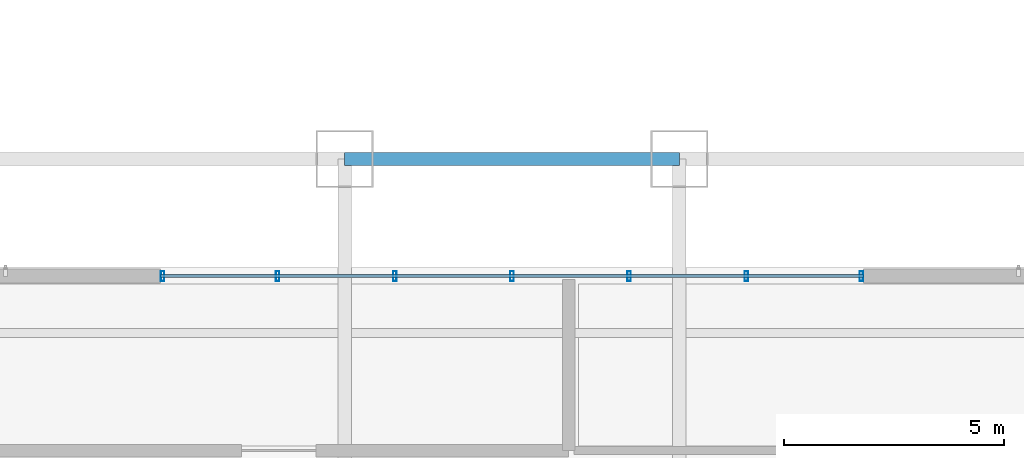
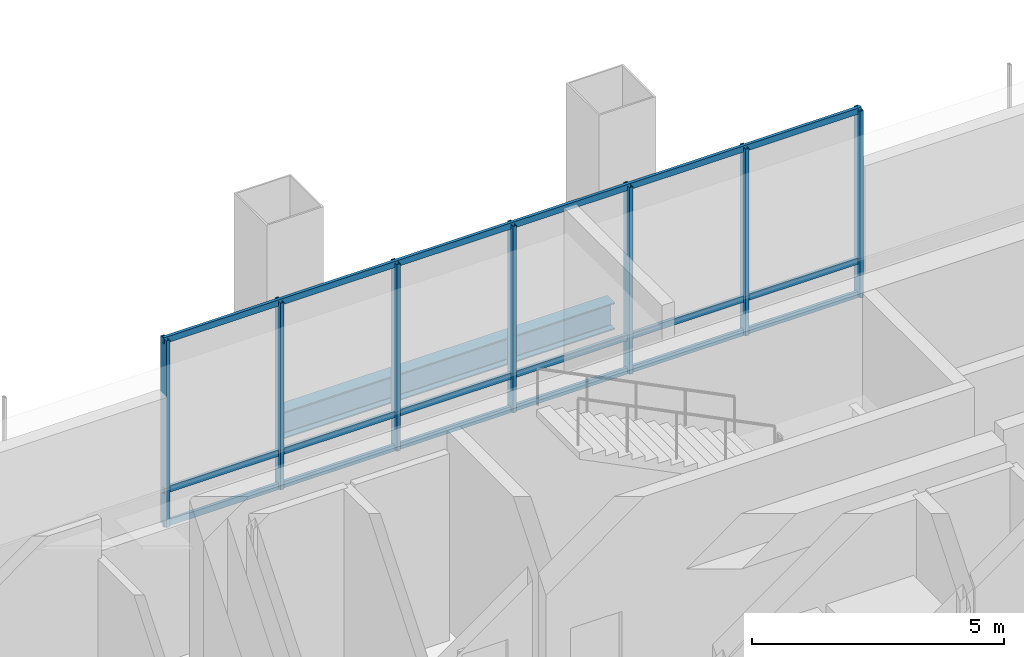
# One storey, part 16 of 33: 10 members, 1 beam, 1 element without a shape of its own.
"""IFC4 building model written with IfcOpenShell, lengths in metres."""

from ifc_helpers import new_model, si_unit, direction, frame, origin, origin_2d, place, context, subcontext, project, spatial, hollow_rectangle, i_section, extrude, material, material_profile, profile_set, type_object, element, aggregate, save


model = new_model("IFC4")

# Units and contexts
model_context = context("Model", 3, precision=1e-05, world=origin(), true_north=direction((0.0, 1.0)))
body_context = subcontext(model_context, "Body", "Model", "MODEL_VIEW")
ifc_project = project(units=[si_unit("LENGTHUNIT", "METRE"), si_unit("AREAUNIT", "SQUARE_METRE"), si_unit("VOLUMEUNIT", "CUBIC_METRE"), si_unit("PLANEANGLEUNIT", "RADIAN"), si_unit("MASSUNIT", "GRAM", prefix="KILO")], contexts=[model_context])

# Site, building, storey
site_placement = place(None, origin())
site = spatial("IfcSite", under=ifc_project, at=site_placement, CompositionType="ELEMENT")
building_placement = place(site_placement, origin())
building = spatial("IfcBuilding", under=site, at=building_placement, Name="Punatoya Terracotta Tower", CompositionType="ELEMENT")
storey_placement = place(building_placement, frame((0.0, 0.0, 246.60009765625)))
storey = spatial("IfcBuildingStorey", under=building, at=storey_placement, Name="L58", CompositionType="ELEMENT", Elevation=246.60009765625)

# Beam
ifc_material_1 = material(Name="Steel S355", Category="steel")
ifc_material_profile_1 = material_profile(ifc_material_1, i_section(OverallWidth=0.300048828125, OverallDepth=0.64990234375, WebThickness=0.01611328125, FlangeThickness=0.031005859375, FilletRadius=0.01806640625, at=origin_2d()))
ifc_profile_set_1 = profile_set([ifc_material_profile_1], Name="Steel S355")
beam_type = type_object("IfcBeamType", Name="BM-PRI-650", PredefinedType="BEAM", material=ifc_profile_set_1)
beam_placement = place(storey_placement, frame((-3.800048828125, 17.5, -0.585205078125), z_axis=(1.0, 0.0, 0.0), x_axis=(0.0, 1.0, 0.0)))
element("IfcBeam", 1, at=beam_placement, inside=storey, type_object=beam_type, Name="BM-L58-RG-N2", PredefinedType="BEAM", context=body_context, shape_type="SweptSolid", body=[
    extrude(i_section(OverallWidth=0.300048828125, OverallDepth=0.64990234375, WebThickness=0.01611328125, FlangeThickness=0.031005859375, FilletRadius=0.01806640625, at=origin_2d()), origin(), (0.0, 0.0, 1.0), 7.60009765625),
])

# Curtain wall, members
ifc_material_2 = material(Name="Aluminium 6063-T6 + Double Low-E Glass", Category="aluminium")
curtain_wall_type = type_object("IfcCurtainWallType", Name="CW-NCK", PredefinedType="NOTDEFINED", material=ifc_material_2)
curtain_wall_placement = place(storey_placement, origin())
curtain_wall = element("IfcCurtainWall", 2, at=curtain_wall_placement, inside=storey, type_object=curtain_wall_type, Name="L58 Curtain Wall CW-L58-N09-1", PredefinedType="NOTDEFINED")
ifc_material_3 = material(Name="Aluminium 6063-T6", Category="aluminium")
ifc_material_profile_2 = material_profile(ifc_material_3, hollow_rectangle(XDim=0.080078125, YDim=0.22509765625, WallThickness=0.0048828125, at=origin_2d()))
ifc_profile_set_2 = profile_set([ifc_material_profile_2], Name="Aluminium 6063-T6")
member_type_1 = type_object("IfcMemberType", Name="CW-MUL-NCK", PredefinedType="MULLION", material=ifc_profile_set_2)
member_1_placement = place(storey_placement, frame((7.93505859375, 14.840087890625, 0.0), z_axis=(0.0, 0.0, 1.0), x_axis=(1.0, 0.0, 0.0)))
member_1 = element("IfcMember", 3, at=member_1_placement, type_object=member_type_1, Name="CW-L58-N09-1 Mullion 00", PredefinedType="MULLION", context=body_context, shape_type="SweptSolid", body=[
    extrude(hollow_rectangle(XDim=0.080078125, YDim=0.22509765625, WallThickness=0.0048828125, at=origin_2d()), origin(), (0.0, 0.0, 1.0), 4.52001953125),
])
member_2_placement = place(storey_placement, frame((5.320068359375, 14.840087890625, 0.0), z_axis=(0.0, 0.0, 1.0), x_axis=(1.0, 0.0, 0.0)))
member_2 = element("IfcMember", 4, at=member_2_placement, type_object=member_type_1, Name="CW-L58-N09-1 Mullion 01", PredefinedType="MULLION", context=body_context, shape_type="SweptSolid", body=[
    extrude(hollow_rectangle(XDim=0.080078125, YDim=0.22509765625, WallThickness=0.0048828125, at=origin_2d()), origin(), (0.0, 0.0, 1.0), 4.52001953125),
])
member_3_placement = place(storey_placement, frame((2.659912109375, 14.840087890625, 0.0), z_axis=(0.0, 0.0, 1.0), x_axis=(1.0, 0.0, 0.0)))
member_3 = element("IfcMember", 5, at=member_3_placement, type_object=member_type_1, Name="CW-L58-N09-1 Mullion 02", PredefinedType="MULLION", context=body_context, shape_type="SweptSolid", body=[
    extrude(hollow_rectangle(XDim=0.080078125, YDim=0.22509765625, WallThickness=0.0048828125, at=origin_2d()), origin(), (0.0, 0.0, 1.0), 4.52001953125),
])
member_4_placement = place(storey_placement, frame((0.0, 14.840087890625, 0.0), z_axis=(0.0, 0.0, 1.0), x_axis=(1.0, 0.0, 0.0)))
member_4 = element("IfcMember", 6, at=member_4_placement, type_object=member_type_1, Name="CW-L58-N09-1 Mullion 03", PredefinedType="MULLION", context=body_context, shape_type="SweptSolid", body=[
    extrude(hollow_rectangle(XDim=0.080078125, YDim=0.22509765625, WallThickness=0.0048828125, at=origin_2d()), origin(), (0.0, 0.0, 1.0), 4.52001953125),
])
member_5_placement = place(storey_placement, frame((-2.659912109375, 14.840087890625, 0.0), z_axis=(0.0, 0.0, 1.0), x_axis=(1.0, 0.0, 0.0)))
member_5 = element("IfcMember", 7, at=member_5_placement, type_object=member_type_1, Name="CW-L58-N09-1 Mullion 04", PredefinedType="MULLION", context=body_context, shape_type="SweptSolid", body=[
    extrude(hollow_rectangle(XDim=0.080078125, YDim=0.22509765625, WallThickness=0.0048828125, at=origin_2d()), origin(), (0.0, 0.0, 1.0), 4.52001953125),
])
member_6_placement = place(storey_placement, frame((-5.320068359375, 14.840087890625, 0.0), z_axis=(0.0, 0.0, 1.0), x_axis=(1.0, 0.0, 0.0)))
member_6 = element("IfcMember", 8, at=member_6_placement, type_object=member_type_1, Name="CW-L58-N09-1 Mullion 05", PredefinedType="MULLION", context=body_context, shape_type="SweptSolid", body=[
    extrude(hollow_rectangle(XDim=0.080078125, YDim=0.22509765625, WallThickness=0.0048828125, at=origin_2d()), origin(), (0.0, 0.0, 1.0), 4.52001953125),
])
member_7_placement = place(storey_placement, frame((-7.93505859375, 14.840087890625, 0.0), z_axis=(0.0, 0.0, 1.0), x_axis=(1.0, 0.0, 0.0)))
member_7 = element("IfcMember", 9, at=member_7_placement, type_object=member_type_1, Name="CW-L58-N09-1 Mullion 06", PredefinedType="MULLION", context=body_context, shape_type="SweptSolid", body=[
    extrude(hollow_rectangle(XDim=0.080078125, YDim=0.22509765625, WallThickness=0.0048828125, at=origin_2d()), origin(), (0.0, 0.0, 1.0), 4.52001953125),
])
ifc_material_profile_3 = material_profile(ifc_material_3, hollow_rectangle(XDim=0.068115234375, YDim=0.14990234375, WallThickness=0.00390625, at=origin_2d()))
ifc_profile_set_3 = profile_set([ifc_material_profile_3], Name="Aluminium 6063-T6")
member_type_2 = type_object("IfcMemberType", Name="CW-TRN-TYP", PredefinedType="USERDEFINED", material=ifc_profile_set_3)
member_8_placement = place(storey_placement, frame((7.97998046875, 14.840087890625, 0.039794921875), z_axis=(-1.0, 0.0, 0.0), x_axis=(0.0, -1.0, 0.0)))
member_8 = element("IfcMember", 10, at=member_8_placement, type_object=member_type_2, Name="CW-L58-N09-1 Transom 1", ObjectType="TRANSOM", PredefinedType="USERDEFINED", context=body_context, shape_type="SweptSolid", body=[
    extrude(hollow_rectangle(XDim=0.068115234375, YDim=0.14990234375, WallThickness=0.00390625, at=origin_2d()), origin(), (0.0, 0.0, 1.0), 15.9599609375),
])
member_9_placement = place(storey_placement, frame((7.97998046875, 14.840087890625, 0.849853515625), z_axis=(-1.0, 0.0, 0.0), x_axis=(0.0, -1.0, 0.0)))
member_9 = element("IfcMember", 11, at=member_9_placement, type_object=member_type_2, Name="CW-L58-N09-1 Transom 2", ObjectType="TRANSOM", PredefinedType="USERDEFINED", context=body_context, shape_type="SweptSolid", body=[
    extrude(hollow_rectangle(XDim=0.068115234375, YDim=0.14990234375, WallThickness=0.00390625, at=origin_2d()), origin(), (0.0, 0.0, 1.0), 15.9599609375),
])
member_10_placement = place(storey_placement, frame((7.97998046875, 14.840087890625, 4.47998046875), z_axis=(-1.0, 0.0, 0.0), x_axis=(0.0, -1.0, 0.0)))
member_10 = element("IfcMember", 12, at=member_10_placement, type_object=member_type_2, Name="CW-L58-N09-1 Transom 3", ObjectType="TRANSOM", PredefinedType="USERDEFINED", context=body_context, shape_type="SweptSolid", body=[
    extrude(hollow_rectangle(XDim=0.068115234375, YDim=0.14990234375, WallThickness=0.00390625, at=origin_2d()), origin(), (0.0, 0.0, 1.0), 15.9599609375),
])
aggregate(curtain_wall, [member_1, member_2, member_3, member_4, member_5, member_6, member_7, member_8, member_9, member_10])

save(model, "model.ifc")
